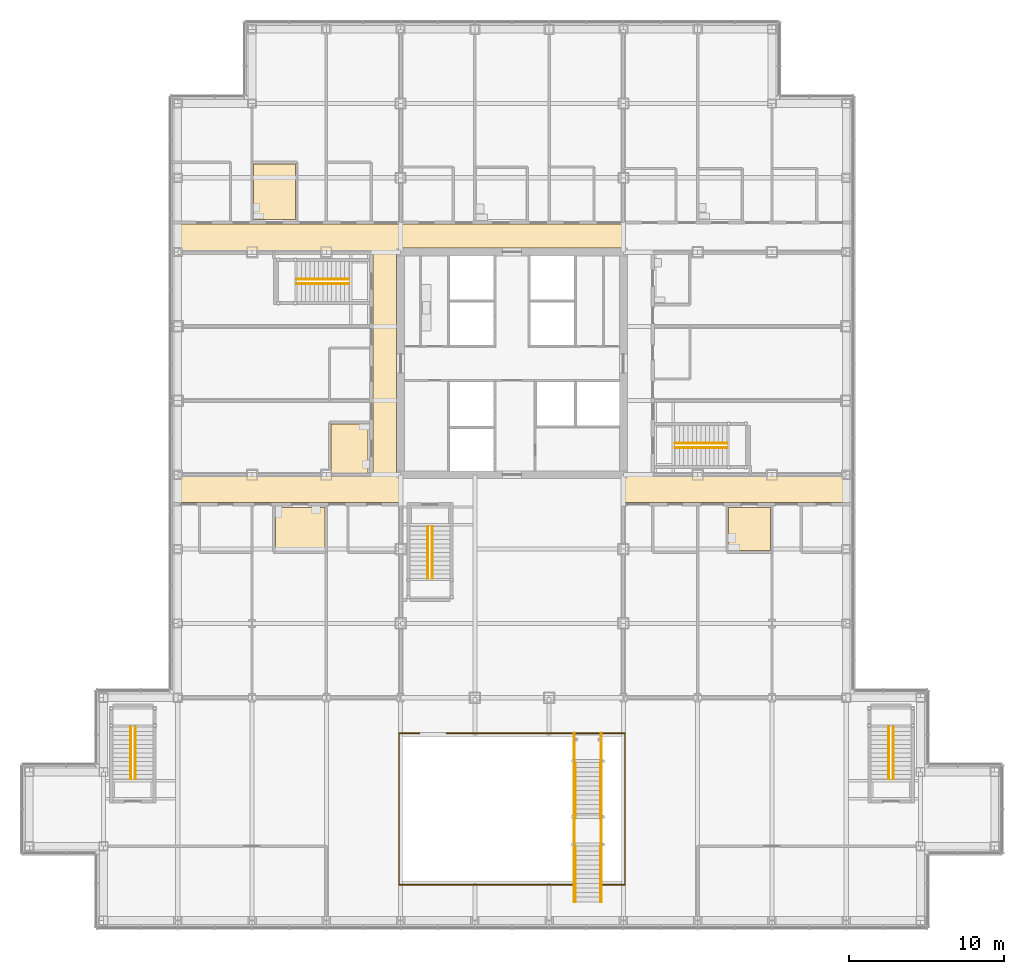
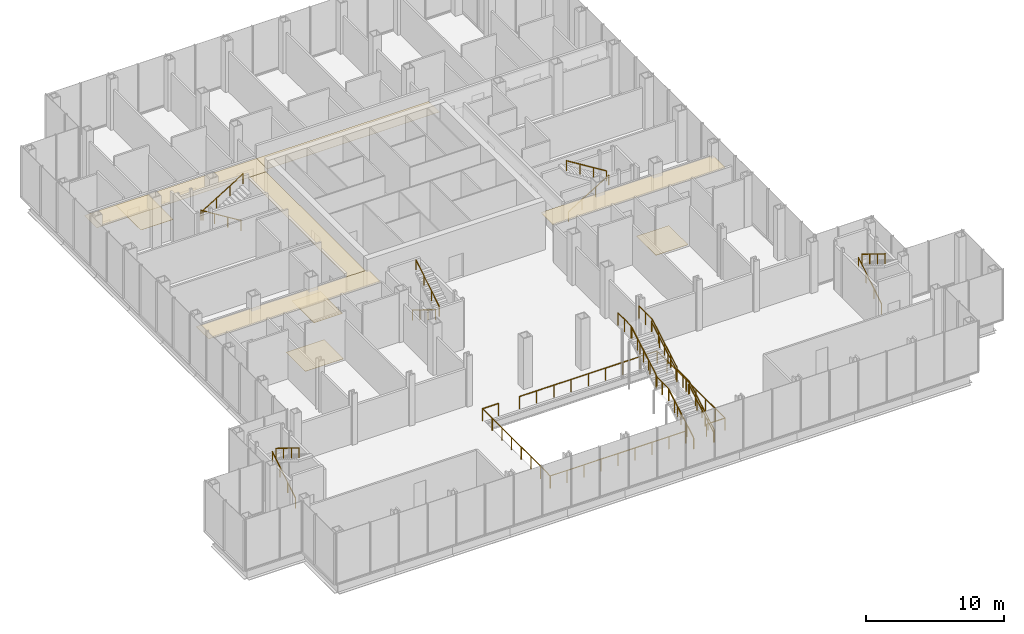
# One storey, part 25 of 28: 24 railings, 9 coverings.
"""IFC4 building model written with IfcOpenShell, lengths in metres."""

from ifc_helpers import new_model, si_unit, direction, frame, origin, origin_2d, place, context, subcontext, project, spatial, polyline, circle, outline, extrude, material, layer, layer_set, type_object, element, save


model = new_model("IFC4")

# Units and contexts
model_context = context("Model", 3, precision=1e-05, world=origin(), true_north=direction((0.0, 1.0)))
body_context = subcontext(model_context, "Body", "Model", "MODEL_VIEW")
ifc_project = project(units=[si_unit("LENGTHUNIT", "METRE"), si_unit("AREAUNIT", "SQUARE_METRE"), si_unit("VOLUMEUNIT", "CUBIC_METRE"), si_unit("PLANEANGLEUNIT", "RADIAN"), si_unit("MASSUNIT", "GRAM", prefix="KILO")], contexts=[model_context])

# Site, building, storey
site_placement = place(None, origin())
site = spatial("IfcSite", under=ifc_project, at=site_placement, CompositionType="ELEMENT")
building_placement = place(site_placement, origin())
building = spatial("IfcBuilding", under=site, at=building_placement, Name="Kvirike Care Tower", CompositionType="ELEMENT")
storey_placement = place(building_placement, frame((0.0, 0.0, 4.5)))
storey = spatial("IfcBuildingStorey", under=building, at=storey_placement, Name="L01", CompositionType="ELEMENT", Elevation=4.5)

# Railings
ifc_material_1 = material(Name="Laminated toughened glass balustrade with bronze-finish top rail", Category="glass")
railing_type_1 = type_object("IfcRailingType", Name="ATRIUM GLASS BALUSTRADE 1100", PredefinedType="BALUSTRADE", material=ifc_material_1)
railing_1_placement = place(storey_placement, frame((25.625, 1.199951171875, 0.173095703125)))
element("IfcRailing", 1, at=railing_1_placement, inside=storey, type_object=railing_type_1, Name="Feature stair FB glass balustrade flight 1 west", PredefinedType="BALUSTRADE", context=body_context, shape_type="SweptSolid", body=[
    extrude(circle(Radius=0.02392578125, at=origin_2d()), frame((0.0, 0.0, 1.076171875), z_axis=(0.0, 0.866193409371, 0.499708892819), x_axis=(-1.0, 0.0, 0.0)), (0.0, 0.0, 1.0), 4.15625),
    extrude(circle(Radius=0.02099609375, at=origin_2d()), origin(), (0.0, 0.0, 1.0), 1.052001953125),
    extrude(circle(Radius=0.02099609375, at=origin_2d()), frame((0.0, 0.89990234375, 0.519287109375)), (0.0, 0.0, 1.0), 1.052001953125),
    extrude(circle(Radius=0.02099609375, at=origin_2d()), frame((0.0, 1.800048828125, 1.03857421875)), (0.0, 0.0, 1.0), 1.052001953125),
    extrude(circle(Radius=0.02099609375, at=origin_2d()), frame((0.0, 2.7001953125, 1.5576171875)), (0.0, 0.0, 1.0), 1.052001953125),
    extrude(circle(Radius=0.02099609375, at=origin_2d()), frame((0.0, 3.60009765625, 2.076904296875)), (0.0, 0.0, 1.0), 1.052001953125),
])
railing_2_placement = place(storey_placement, frame((25.625, 4.800048828125, 2.25)))
element("IfcRailing", 2, at=railing_2_placement, inside=storey, type_object=railing_type_1, Name="Feature stair FB glass balustrade landing west", PredefinedType="BALUSTRADE", context=body_context, shape_type="SweptSolid", body=[
    extrude(circle(Radius=0.02392578125, at=origin_2d()), frame((0.0, 0.0, 1.076171875), z_axis=(0.0, 1.0, 0.0), x_axis=(-1.0, 0.0, 0.0)), (0.0, 0.0, 1.0), 1.800048828125),
    extrude(circle(Radius=0.02099609375, at=origin_2d()), origin(), (0.0, 0.0, 1.0), 1.052001953125),
    extrude(circle(Radius=0.02099609375, at=origin_2d()), frame((0.0, 0.89990234375, 0.0)), (0.0, 0.0, 1.0), 1.052001953125),
    extrude(circle(Radius=0.02099609375, at=origin_2d()), frame((0.0, 1.800048828125, 0.0)), (0.0, 0.0, 1.0), 1.052001953125),
])
railing_3_placement = place(storey_placement, frame((25.625, 6.60009765625, 2.423095703125)))
element("IfcRailing", 3, at=railing_3_placement, inside=storey, type_object=railing_type_1, Name="Feature stair FB glass balustrade flight 2 west", PredefinedType="BALUSTRADE", context=body_context, shape_type="SweptSolid", body=[
    extrude(circle(Radius=0.02392578125, at=origin_2d()), frame((0.0, 0.0, 1.076171875), z_axis=(0.0, 0.866178740119, 0.499734319579), x_axis=(-1.0, 0.0, 0.0)), (0.0, 0.0, 1.0), 4.156005859375),
    extrude(circle(Radius=0.02099609375, at=origin_2d()), origin(), (0.0, 0.0, 1.0), 1.052001953125),
    extrude(circle(Radius=0.02099609375, at=origin_2d()), frame((0.0, 0.89990234375, 0.519287109375)), (0.0, 0.0, 1.0), 1.052001953125),
    extrude(circle(Radius=0.02099609375, at=origin_2d()), frame((0.0, 1.7998046875, 1.03857421875)), (0.0, 0.0, 1.0), 1.052001953125),
    extrude(circle(Radius=0.02099609375, at=origin_2d()), frame((0.0, 2.699951171875, 1.5576171875)), (0.0, 0.0, 1.0), 1.052001953125),
    extrude(circle(Radius=0.02099609375, at=origin_2d()), frame((0.0, 3.599853515625, 2.076904296875)), (0.0, 0.0, 1.0), 1.052001953125),
])
railing_4_placement = place(storey_placement, frame((25.625, 10.199951171875, 4.5)))
element("IfcRailing", 4, at=railing_4_placement, inside=storey, type_object=railing_type_1, Name="Feature stair FB glass balustrade top landing west", PredefinedType="BALUSTRADE", context=body_context, shape_type="SweptSolid", body=[
    extrude(circle(Radius=0.02392578125, at=origin_2d()), frame((0.0, 0.0, 1.076171875), z_axis=(0.0, 1.0, 0.0), x_axis=(-1.0, 0.0, 0.0)), (0.0, 0.0, 1.0), 1.900146484375),
    extrude(circle(Radius=0.02099609375, at=origin_2d()), origin(), (0.0, 0.0, 1.0), 1.052001953125),
    extrude(circle(Radius=0.02099609375, at=origin_2d()), frame((0.0, 0.9501953125, 0.0)), (0.0, 0.0, 1.0), 1.052001953125),
    extrude(circle(Radius=0.02099609375, at=origin_2d()), frame((0.0, 1.900146484375, 0.0)), (0.0, 0.0, 1.0), 1.052001953125),
])
railing_5_placement = place(storey_placement, frame((27.375, 1.199951171875, 0.173095703125)))
element("IfcRailing", 5, at=railing_5_placement, inside=storey, type_object=railing_type_1, Name="Feature stair FB glass balustrade flight 1 east", PredefinedType="BALUSTRADE", context=body_context, shape_type="SweptSolid", body=[
    extrude(circle(Radius=0.02392578125, at=origin_2d()), frame((0.0, 0.0, 1.076171875), z_axis=(0.0, 0.866193409371, 0.499708892819), x_axis=(-1.0, 0.0, 0.0)), (0.0, 0.0, 1.0), 4.15625),
    extrude(circle(Radius=0.02099609375, at=origin_2d()), origin(), (0.0, 0.0, 1.0), 1.052001953125),
    extrude(circle(Radius=0.02099609375, at=origin_2d()), frame((0.0, 0.89990234375, 0.519287109375)), (0.0, 0.0, 1.0), 1.052001953125),
    extrude(circle(Radius=0.02099609375, at=origin_2d()), frame((0.0, 1.800048828125, 1.03857421875)), (0.0, 0.0, 1.0), 1.052001953125),
    extrude(circle(Radius=0.02099609375, at=origin_2d()), frame((0.0, 2.7001953125, 1.5576171875)), (0.0, 0.0, 1.0), 1.052001953125),
    extrude(circle(Radius=0.02099609375, at=origin_2d()), frame((0.0, 3.60009765625, 2.076904296875)), (0.0, 0.0, 1.0), 1.052001953125),
])
railing_6_placement = place(storey_placement, frame((27.375, 4.800048828125, 2.25)))
element("IfcRailing", 6, at=railing_6_placement, inside=storey, type_object=railing_type_1, Name="Feature stair FB glass balustrade landing east", PredefinedType="BALUSTRADE", context=body_context, shape_type="SweptSolid", body=[
    extrude(circle(Radius=0.02392578125, at=origin_2d()), frame((0.0, 0.0, 1.076171875), z_axis=(0.0, 1.0, 0.0), x_axis=(-1.0, 0.0, 0.0)), (0.0, 0.0, 1.0), 1.800048828125),
    extrude(circle(Radius=0.02099609375, at=origin_2d()), origin(), (0.0, 0.0, 1.0), 1.052001953125),
    extrude(circle(Radius=0.02099609375, at=origin_2d()), frame((0.0, 0.89990234375, 0.0)), (0.0, 0.0, 1.0), 1.052001953125),
    extrude(circle(Radius=0.02099609375, at=origin_2d()), frame((0.0, 1.800048828125, 0.0)), (0.0, 0.0, 1.0), 1.052001953125),
])
railing_7_placement = place(storey_placement, frame((27.375, 6.60009765625, 2.423095703125)))
element("IfcRailing", 7, at=railing_7_placement, inside=storey, type_object=railing_type_1, Name="Feature stair FB glass balustrade flight 2 east", PredefinedType="BALUSTRADE", context=body_context, shape_type="SweptSolid", body=[
    extrude(circle(Radius=0.02392578125, at=origin_2d()), frame((0.0, 0.0, 1.076171875), z_axis=(0.0, 0.866178740119, 0.499734319579), x_axis=(-1.0, 0.0, 0.0)), (0.0, 0.0, 1.0), 4.156005859375),
    extrude(circle(Radius=0.02099609375, at=origin_2d()), origin(), (0.0, 0.0, 1.0), 1.052001953125),
    extrude(circle(Radius=0.02099609375, at=origin_2d()), frame((0.0, 0.89990234375, 0.519287109375)), (0.0, 0.0, 1.0), 1.052001953125),
    extrude(circle(Radius=0.02099609375, at=origin_2d()), frame((0.0, 1.7998046875, 1.03857421875)), (0.0, 0.0, 1.0), 1.052001953125),
    extrude(circle(Radius=0.02099609375, at=origin_2d()), frame((0.0, 2.699951171875, 1.5576171875)), (0.0, 0.0, 1.0), 1.052001953125),
    extrude(circle(Radius=0.02099609375, at=origin_2d()), frame((0.0, 3.599853515625, 2.076904296875)), (0.0, 0.0, 1.0), 1.052001953125),
])
railing_8_placement = place(storey_placement, frame((27.375, 10.199951171875, 4.5)))
element("IfcRailing", 8, at=railing_8_placement, inside=storey, type_object=railing_type_1, Name="Feature stair FB glass balustrade top landing east", PredefinedType="BALUSTRADE", context=body_context, shape_type="SweptSolid", body=[
    extrude(circle(Radius=0.02392578125, at=origin_2d()), frame((0.0, 0.0, 1.076171875), z_axis=(0.0, 1.0, 0.0), x_axis=(-1.0, 0.0, 0.0)), (0.0, 0.0, 1.0), 1.900146484375),
    extrude(circle(Radius=0.02099609375, at=origin_2d()), origin(), (0.0, 0.0, 1.0), 1.052001953125),
    extrude(circle(Radius=0.02099609375, at=origin_2d()), frame((0.0, 0.9501953125, 0.0)), (0.0, 0.0, 1.0), 1.052001953125),
    extrude(circle(Radius=0.02099609375, at=origin_2d()), frame((0.0, 1.900146484375, 0.0)), (0.0, 0.0, 1.0), 1.052001953125),
])
railing_9_placement = place(storey_placement, frame((27.375, 2.300048828125, 0.0)))
element("IfcRailing", 9, at=railing_9_placement, inside=storey, type_object=railing_type_1, Name="Atrium glass balustrade L01 run 1", PredefinedType="BALUSTRADE", context=body_context, shape_type="SweptSolid", body=[
    extrude(circle(Radius=0.02392578125, at=origin_2d()), frame((0.0, 0.0, 1.076171875), z_axis=(1.0, 0.0, 0.0), x_axis=(0.0, 1.0, 0.0)), (0.0, 0.0, 1.0), 1.52490234375),
    extrude(circle(Radius=0.02392578125, at=origin_2d()), frame((1.52490234375, 0.0, 1.076171875), z_axis=(0.0, 1.0, 0.0), x_axis=(-1.0, 0.0, 0.0)), (0.0, 0.0, 1.0), 9.800048828125),
    extrude(circle(Radius=0.02392578125, at=origin_2d()), frame((1.52490234375, 9.800048828125, 1.076171875), z_axis=(-1.0, 0.0, 0.0), x_axis=(0.0, -1.0, 0.0)), (0.0, 0.0, 1.0), 11.52490234375),
    extrude(circle(Radius=0.02099609375, at=origin_2d()), origin(), (0.0, 0.0, 1.0), 1.052001953125),
    extrude(circle(Radius=0.02099609375, at=origin_2d()), frame((1.52490234375, 0.0, 0.0)), (0.0, 0.0, 1.0), 1.052001953125),
    extrude(circle(Radius=0.02099609375, at=origin_2d()), frame((1.52490234375, 1.39990234375, 0.0)), (0.0, 0.0, 1.0), 1.052001953125),
    extrude(circle(Radius=0.02099609375, at=origin_2d()), frame((1.52490234375, 2.800048828125, 0.0)), (0.0, 0.0, 1.0), 1.052001953125),
    extrude(circle(Radius=0.02099609375, at=origin_2d()), frame((1.52490234375, 4.199951171875, 0.0)), (0.0, 0.0, 1.0), 1.052001953125),
    extrude(circle(Radius=0.02099609375, at=origin_2d()), frame((1.52490234375, 5.60009765625, 0.0)), (0.0, 0.0, 1.0), 1.052001953125),
    extrude(circle(Radius=0.02099609375, at=origin_2d()), frame((1.52490234375, 7.0, 0.0)), (0.0, 0.0, 1.0), 1.052001953125),
    extrude(circle(Radius=0.02099609375, at=origin_2d()), frame((1.52490234375, 8.400146484375, 0.0)), (0.0, 0.0, 1.0), 1.052001953125),
    extrude(circle(Radius=0.02099609375, at=origin_2d()), frame((1.52490234375, 9.800048828125, 0.0)), (0.0, 0.0, 1.0), 1.052001953125),
    extrude(circle(Radius=0.02099609375, at=origin_2d()), frame((0.084228515625, 9.800048828125, 0.0)), (0.0, 0.0, 1.0), 1.052001953125),
    extrude(circle(Radius=0.02099609375, at=origin_2d()), frame((-1.3564453125, 9.800048828125, 0.0)), (0.0, 0.0, 1.0), 1.052001953125),
    extrude(circle(Radius=0.02099609375, at=origin_2d()), frame((-2.796875, 9.800048828125, 0.0)), (0.0, 0.0, 1.0), 1.052001953125),
    extrude(circle(Radius=0.02099609375, at=origin_2d()), frame((-4.237548828125, 9.800048828125, 0.0)), (0.0, 0.0, 1.0), 1.052001953125),
    extrude(circle(Radius=0.02099609375, at=origin_2d()), frame((-5.67822265625, 9.800048828125, 0.0)), (0.0, 0.0, 1.0), 1.052001953125),
    extrude(circle(Radius=0.02099609375, at=origin_2d()), frame((-7.11865234375, 9.800048828125, 0.0)), (0.0, 0.0, 1.0), 1.052001953125),
    extrude(circle(Radius=0.02099609375, at=origin_2d()), frame((-8.559326171875, 9.800048828125, 0.0)), (0.0, 0.0, 1.0), 1.052001953125),
    extrude(circle(Radius=0.02099609375, at=origin_2d()), frame((-10.0, 9.800048828125, 0.0)), (0.0, 0.0, 1.0), 1.052001953125),
])
railing_10_placement = place(storey_placement, frame((15.625, 12.10009765625, 0.0)))
element("IfcRailing", 10, at=railing_10_placement, inside=storey, type_object=railing_type_1, Name="Atrium glass balustrade L01 run 2", PredefinedType="BALUSTRADE", context=body_context, shape_type="SweptSolid", body=[
    extrude(circle(Radius=0.02392578125, at=origin_2d()), frame((0.0, 0.0, 1.076171875), z_axis=(-1.0, 0.0, 0.0), x_axis=(0.0, -1.0, 0.0)), (0.0, 0.0, 1.0), 1.324951171875),
    extrude(circle(Radius=0.02392578125, at=origin_2d()), frame((-1.324951171875, 0.0, 1.076171875), z_axis=(0.0, -1.0, 0.0), x_axis=(1.0, 0.0, 0.0)), (0.0, 0.0, 1.0), 9.800048828125),
    extrude(circle(Radius=0.02392578125, at=origin_2d()), frame((-1.324951171875, -9.800048828125, 1.076171875), z_axis=(1.0, 0.0, 0.0), x_axis=(0.0, 1.0, 0.0)), (0.0, 0.0, 1.0), 11.324951171875),
    extrude(circle(Radius=0.02099609375, at=origin_2d()), origin(), (0.0, 0.0, 1.0), 1.052001953125),
    extrude(circle(Radius=0.02099609375, at=origin_2d()), frame((-1.324951171875, 0.0, 0.0)), (0.0, 0.0, 1.0), 1.052001953125),
    extrude(circle(Radius=0.02099609375, at=origin_2d()), frame((-1.324951171875, -1.39990234375, 0.0)), (0.0, 0.0, 1.0), 1.052001953125),
    extrude(circle(Radius=0.02099609375, at=origin_2d()), frame((-1.324951171875, -2.800048828125, 0.0)), (0.0, 0.0, 1.0), 1.052001953125),
    extrude(circle(Radius=0.02099609375, at=origin_2d()), frame((-1.324951171875, -4.199951171875, 0.0)), (0.0, 0.0, 1.0), 1.052001953125),
    extrude(circle(Radius=0.02099609375, at=origin_2d()), frame((-1.324951171875, -5.60009765625, 0.0)), (0.0, 0.0, 1.0), 1.052001953125),
    extrude(circle(Radius=0.02099609375, at=origin_2d()), frame((-1.324951171875, -7.0, 0.0)), (0.0, 0.0, 1.0), 1.052001953125),
    extrude(circle(Radius=0.02099609375, at=origin_2d()), frame((-1.324951171875, -8.400146484375, 0.0)), (0.0, 0.0, 1.0), 1.052001953125),
    extrude(circle(Radius=0.02099609375, at=origin_2d()), frame((-1.324951171875, -9.800048828125, 0.0)), (0.0, 0.0, 1.0), 1.052001953125),
    extrude(circle(Radius=0.02099609375, at=origin_2d()), frame((0.090576171875, -9.800048828125, 0.0)), (0.0, 0.0, 1.0), 1.052001953125),
    extrude(circle(Radius=0.02099609375, at=origin_2d()), frame((1.50634765625, -9.800048828125, 0.0)), (0.0, 0.0, 1.0), 1.052001953125),
    extrude(circle(Radius=0.02099609375, at=origin_2d()), frame((2.921875, -9.800048828125, 0.0)), (0.0, 0.0, 1.0), 1.052001953125),
    extrude(circle(Radius=0.02099609375, at=origin_2d()), frame((4.33740234375, -9.800048828125, 0.0)), (0.0, 0.0, 1.0), 1.052001953125),
    extrude(circle(Radius=0.02099609375, at=origin_2d()), frame((5.753173828125, -9.800048828125, 0.0)), (0.0, 0.0, 1.0), 1.052001953125),
    extrude(circle(Radius=0.02099609375, at=origin_2d()), frame((7.168701171875, -9.800048828125, 0.0)), (0.0, 0.0, 1.0), 1.052001953125),
    extrude(circle(Radius=0.02099609375, at=origin_2d()), frame((8.58447265625, -9.800048828125, 0.0)), (0.0, 0.0, 1.0), 1.052001953125),
    extrude(circle(Radius=0.02099609375, at=origin_2d()), frame((10.0, -9.800048828125, 0.0)), (0.0, 0.0, 1.0), 1.052001953125),
])

# Coverings
ifc_material_2 = material(Name="Perforated metal ceiling tile", Category="aluminium")
ifc_layer_1 = layer(ifc_material_2, 0.014892578125)
ifc_layer_set_1 = layer_set([ifc_layer_1], Name="CORRIDOR CEILING 15")
covering_type_1 = type_object("IfcCoveringType", Name="CORRIDOR CEILING 15", PredefinedType="CEILING", material=ifc_layer_set_1)
covering_1_placement = place(storey_placement, frame((0.0, 0.0, 3.199951171875)))
element("IfcCovering", 11, at=covering_1_placement, inside=storey, type_object=covering_type_1, Name="Corridor ceiling L01", PredefinedType="CEILING", context=body_context, shape_type="SweptSolid", body=[
    extrude(outline(polyline([(0.0, 27.0), (0.0, 28.800048828125), (14.39990234375, 28.800048828125), (14.39990234375, 27.0), (0.0, 27.0)])), origin(), (0.0, 0.0, 1.0), 0.01513671875),
])
covering_2_placement = place(storey_placement, frame((0.0, 0.0, 3.199951171875)))
element("IfcCovering", 12, at=covering_2_placement, inside=storey, type_object=covering_type_1, Name="Corridor ceiling L01", PredefinedType="CEILING", context=body_context, shape_type="SweptSolid", body=[
    extrude(outline(polyline([(12.60009765625, 43.199951171875), (14.14990234375, 43.199951171875), (14.14990234375, 28.800048828125), (12.60009765625, 28.800048828125), (12.60009765625, 43.199951171875)])), origin(), (0.0, 0.0, 1.0), 0.01513671875),
])
covering_3_placement = place(storey_placement, frame((0.0, 0.0, 3.199951171875)))
element("IfcCovering", 13, at=covering_3_placement, inside=storey, type_object=covering_type_1, Name="Corridor ceiling L01", PredefinedType="CEILING", context=body_context, shape_type="SweptSolid", body=[
    extrude(outline(polyline([(14.39990234375, 45.0), (14.39990234375, 43.199951171875), (0.0, 43.199951171875), (0.0, 45.0), (14.39990234375, 45.0)])), origin(), (0.0, 0.0, 1.0), 0.01513671875),
])
covering_4_placement = place(storey_placement, frame((0.0, 0.0, 3.199951171875)))
element("IfcCovering", 14, at=covering_4_placement, inside=storey, type_object=covering_type_1, Name="Corridor ceiling L01", PredefinedType="CEILING", context=body_context, shape_type="SweptSolid", body=[
    extrude(outline(polyline([(28.800048828125, 45.0), (28.800048828125, 43.449951171875), (14.39990234375, 43.449951171875), (14.39990234375, 45.0), (28.800048828125, 45.0)])), origin(), (0.0, 0.0, 1.0), 0.01513671875),
])
covering_5_placement = place(storey_placement, frame((0.0, 0.0, 3.199951171875)))
element("IfcCovering", 15, at=covering_5_placement, inside=storey, type_object=covering_type_1, Name="Corridor ceiling L01", PredefinedType="CEILING", context=body_context, shape_type="SweptSolid", body=[
    extrude(outline(polyline([(28.800048828125, 27.0), (28.800048828125, 28.800048828125), (43.199951171875, 28.800048828125), (43.199951171875, 27.0), (28.800048828125, 27.0)])), origin(), (0.0, 0.0, 1.0), 0.01513671875),
])

# Railings
ifc_material_3 = material(Name="Stainless steel handrail", Category="steel")
railing_type_2 = type_object("IfcRailingType", Name="STAIR HANDRAIL 900", PredefinedType="HANDRAIL", material=ifc_material_3)
railing_11_placement = place(storey_placement, frame((11.06005859375, 41.449951171875, 0.173095703125)))
element("IfcRailing", 16, at=railing_11_placement, inside=storey, type_object=railing_type_2, Name="Stair 1 handrail L01 flight 1", PredefinedType="HANDRAIL", context=body_context, shape_type="SweptSolid", body=[
    extrude(circle(Radius=0.02490234375, at=origin_2d()), frame((0.0, 0.0, 0.875), z_axis=(-0.850623216509, 0.0, 0.525775754039), x_axis=(0.0, -1.0, 0.0)), (0.0, 0.0, 1.0), 3.9501953125),
    extrude(circle(Radius=0.02001953125, at=origin_2d()), origin(), (0.0, 0.0, 1.0), 0.849853515625),
    extrude(circle(Radius=0.02001953125, at=origin_2d()), frame((-1.1201171875, 0.0, 0.6923828125)), (0.0, 0.0, 1.0), 0.849853515625),
    extrude(circle(Radius=0.02001953125, at=origin_2d()), frame((-2.239990234375, 0.0, 1.384521484375)), (0.0, 0.0, 1.0), 0.849853515625),
    extrude(circle(Radius=0.02001953125, at=origin_2d()), frame((-3.360107421875, 0.0, 2.076904296875)), (0.0, 0.0, 1.0), 0.849853515625),
])
for number, where, name in (
    (17, (7.699951171875, 41.14990234375, 2.423095703125), "Stair 1 handrail L01 flight 2"),
    (18, (32.139892578125, 30.550048828125, 0.173095703125), "Stair 2 handrail L01 flight 1"),
):
    element("IfcRailing", number, at=place(storey_placement, frame(where)), inside=storey, type_object=railing_type_2, Name=name, PredefinedType="HANDRAIL", context=body_context, shape_type="SweptSolid", body=[
        extrude(circle(Radius=0.02490234375, at=origin_2d()), frame((0.0, 0.0, 0.875), z_axis=(0.850623216509, 0.0, 0.525775754039), x_axis=(0.0, 1.0, 0.0)), (0.0, 0.0, 1.0), 3.9501953125),
        extrude(circle(Radius=0.02001953125, at=origin_2d()), origin(), (0.0, 0.0, 1.0), 0.849853515625),
        extrude(circle(Radius=0.02001953125, at=origin_2d()), frame((1.1201171875, 0.0, 0.6923828125)), (0.0, 0.0, 1.0), 0.849853515625),
        extrude(circle(Radius=0.02001953125, at=origin_2d()), frame((2.239990234375, 0.0, 1.384521484375)), (0.0, 0.0, 1.0), 0.849853515625),
        extrude(circle(Radius=0.02001953125, at=origin_2d()), frame((3.360107421875, 0.0, 2.076904296875)), (0.0, 0.0, 1.0), 0.849853515625),
    ])
railing_12_placement = place(storey_placement, frame((35.5, 30.85009765625, 2.423095703125)))
element("IfcRailing", 19, at=railing_12_placement, inside=storey, type_object=railing_type_2, Name="Stair 2 handrail L01 flight 2", PredefinedType="HANDRAIL", context=body_context, shape_type="SweptSolid", body=[
    extrude(circle(Radius=0.02490234375, at=origin_2d()), frame((0.0, 0.0, 0.875), z_axis=(-0.850623216509, 0.0, 0.525775754039), x_axis=(0.0, -1.0, 0.0)), (0.0, 0.0, 1.0), 3.9501953125),
    extrude(circle(Radius=0.02001953125, at=origin_2d()), origin(), (0.0, 0.0, 1.0), 0.849853515625),
    extrude(circle(Radius=0.02001953125, at=origin_2d()), frame((-1.1201171875, 0.0, 0.6923828125)), (0.0, 0.0, 1.0), 0.849853515625),
    extrude(circle(Radius=0.02001953125, at=origin_2d()), frame((-2.239990234375, 0.0, 1.384521484375)), (0.0, 0.0, 1.0), 0.849853515625),
    extrude(circle(Radius=0.02001953125, at=origin_2d()), frame((-3.360107421875, 0.0, 2.076904296875)), (0.0, 0.0, 1.0), 0.849853515625),
])
railing_13_placement = place(storey_placement, frame((-3.050048828125, 9.139892578125, 0.173095703125)))
element("IfcRailing", 20, at=railing_13_placement, inside=storey, type_object=railing_type_2, Name="Stair 3 handrail L01 flight 1", PredefinedType="HANDRAIL", context=body_context, shape_type="SweptSolid", body=[
    extrude(circle(Radius=0.02490234375, at=origin_2d()), frame((0.0, 0.0, 0.875), z_axis=(0.0, 0.850623216509, 0.525775754039), x_axis=(-1.0, 0.0, 0.0)), (0.0, 0.0, 1.0), 3.9501953125),
    extrude(circle(Radius=0.02001953125, at=origin_2d()), origin(), (0.0, 0.0, 1.0), 0.849853515625),
    extrude(circle(Radius=0.02001953125, at=origin_2d()), frame((0.0, 1.1201171875, 0.6923828125)), (0.0, 0.0, 1.0), 0.849853515625),
    extrude(circle(Radius=0.02001953125, at=origin_2d()), frame((0.0, 2.239990234375, 1.384521484375)), (0.0, 0.0, 1.0), 0.849853515625),
    extrude(circle(Radius=0.02001953125, at=origin_2d()), frame((0.0, 3.360107421875, 2.076904296875)), (0.0, 0.0, 1.0), 0.849853515625),
])
railing_14_placement = place(storey_placement, frame((-2.75, 12.5, 2.423095703125)))
element("IfcRailing", 21, at=railing_14_placement, inside=storey, type_object=railing_type_2, Name="Stair 3 handrail L01 flight 2", PredefinedType="HANDRAIL", context=body_context, shape_type="SweptSolid", body=[
    extrude(circle(Radius=0.02490234375, at=origin_2d()), frame((0.0, 0.0, 0.875), z_axis=(0.0, -0.850623216509, 0.525775754039), x_axis=(1.0, 0.0, 0.0)), (0.0, 0.0, 1.0), 3.9501953125),
    extrude(circle(Radius=0.02001953125, at=origin_2d()), origin(), (0.0, 0.0, 1.0), 0.849853515625),
    extrude(circle(Radius=0.02001953125, at=origin_2d()), frame((0.0, -1.1201171875, 0.6923828125)), (0.0, 0.0, 1.0), 0.849853515625),
    extrude(circle(Radius=0.02001953125, at=origin_2d()), frame((0.0, -2.239990234375, 1.384521484375)), (0.0, 0.0, 1.0), 0.849853515625),
    extrude(circle(Radius=0.02001953125, at=origin_2d()), frame((0.0, -3.360107421875, 2.076904296875)), (0.0, 0.0, 1.0), 0.849853515625),
])
railing_15_placement = place(storey_placement, frame((45.949951171875, 9.139892578125, 0.173095703125)))
element("IfcRailing", 22, at=railing_15_placement, inside=storey, type_object=railing_type_2, Name="Stair 4 handrail L01 flight 1", PredefinedType="HANDRAIL", context=body_context, shape_type="SweptSolid", body=[
    extrude(circle(Radius=0.02490234375, at=origin_2d()), frame((0.0, 0.0, 0.875), z_axis=(0.0, 0.850623216509, 0.525775754039), x_axis=(-1.0, 0.0, 0.0)), (0.0, 0.0, 1.0), 3.9501953125),
    extrude(circle(Radius=0.02001953125, at=origin_2d()), origin(), (0.0, 0.0, 1.0), 0.849853515625),
    extrude(circle(Radius=0.02001953125, at=origin_2d()), frame((0.0, 1.1201171875, 0.6923828125)), (0.0, 0.0, 1.0), 0.849853515625),
    extrude(circle(Radius=0.02001953125, at=origin_2d()), frame((0.0, 2.239990234375, 1.384521484375)), (0.0, 0.0, 1.0), 0.849853515625),
    extrude(circle(Radius=0.02001953125, at=origin_2d()), frame((0.0, 3.360107421875, 2.076904296875)), (0.0, 0.0, 1.0), 0.849853515625),
])
railing_16_placement = place(storey_placement, frame((46.25, 12.5, 2.423095703125)))
element("IfcRailing", 23, at=railing_16_placement, inside=storey, type_object=railing_type_2, Name="Stair 4 handrail L01 flight 2", PredefinedType="HANDRAIL", context=body_context, shape_type="SweptSolid", body=[
    extrude(circle(Radius=0.02490234375, at=origin_2d()), frame((0.0, 0.0, 0.875), z_axis=(0.0, -0.850623216509, 0.525775754039), x_axis=(1.0, 0.0, 0.0)), (0.0, 0.0, 1.0), 3.9501953125),
    extrude(circle(Radius=0.02001953125, at=origin_2d()), origin(), (0.0, 0.0, 1.0), 0.849853515625),
    extrude(circle(Radius=0.02001953125, at=origin_2d()), frame((0.0, -1.1201171875, 0.6923828125)), (0.0, 0.0, 1.0), 0.849853515625),
    extrude(circle(Radius=0.02001953125, at=origin_2d()), frame((0.0, -2.239990234375, 1.384521484375)), (0.0, 0.0, 1.0), 0.849853515625),
    extrude(circle(Radius=0.02001953125, at=origin_2d()), frame((0.0, -3.360107421875, 2.076904296875)), (0.0, 0.0, 1.0), 0.849853515625),
])
railing_17_placement = place(storey_placement, frame((16.14990234375, 25.4599609375, 0.173095703125)))
element("IfcRailing", 24, at=railing_17_placement, inside=storey, type_object=railing_type_2, Name="Stair 5 handrail L01 flight 1", PredefinedType="HANDRAIL", context=body_context, shape_type="SweptSolid", body=[
    extrude(circle(Radius=0.02490234375, at=origin_2d()), frame((0.0, 0.0, 0.875), z_axis=(0.0, -0.850606129759, 0.525803396734), x_axis=(1.0, 0.0, 0.0)), (0.0, 0.0, 1.0), 3.949951171875),
    extrude(circle(Radius=0.02001953125, at=origin_2d()), origin(), (0.0, 0.0, 1.0), 0.849853515625),
    extrude(circle(Radius=0.02001953125, at=origin_2d()), frame((0.0, -1.119873046875, 0.6923828125)), (0.0, 0.0, 1.0), 0.849853515625),
    extrude(circle(Radius=0.02001953125, at=origin_2d()), frame((0.0, -2.239990234375, 1.384521484375)), (0.0, 0.0, 1.0), 0.849853515625),
    extrude(circle(Radius=0.02001953125, at=origin_2d()), frame((0.0, -3.35986328125, 2.076904296875)), (0.0, 0.0, 1.0), 0.849853515625),
])
railing_18_placement = place(storey_placement, frame((16.449951171875, 22.10009765625, 2.423095703125)))
element("IfcRailing", 25, at=railing_18_placement, inside=storey, type_object=railing_type_2, Name="Stair 5 handrail L01 flight 2", PredefinedType="HANDRAIL", context=body_context, shape_type="SweptSolid", body=[
    extrude(circle(Radius=0.02490234375, at=origin_2d()), frame((0.0, 0.0, 0.875), z_axis=(0.0, 0.850606129759, 0.525803396734), x_axis=(-1.0, 0.0, 0.0)), (0.0, 0.0, 1.0), 3.949951171875),
    extrude(circle(Radius=0.02001953125, at=origin_2d()), origin(), (0.0, 0.0, 1.0), 0.849853515625),
    extrude(circle(Radius=0.02001953125, at=origin_2d()), frame((0.0, 1.119873046875, 0.6923828125)), (0.0, 0.0, 1.0), 0.849853515625),
    extrude(circle(Radius=0.02001953125, at=origin_2d()), frame((0.0, 2.239990234375, 1.384521484375)), (0.0, 0.0, 1.0), 0.849853515625),
    extrude(circle(Radius=0.02001953125, at=origin_2d()), frame((0.0, 3.35986328125, 2.076904296875)), (0.0, 0.0, 1.0), 0.849853515625),
])
railing_19_placement = place(storey_placement, frame((25.68505859375, 1.199951171875, 0.173095703125)))
element("IfcRailing", 26, at=railing_19_placement, inside=storey, type_object=railing_type_2, Name="Feature stair FB handrail flight 1 west", PredefinedType="HANDRAIL", context=body_context, shape_type="SweptSolid", body=[
    extrude(circle(Radius=0.02490234375, at=origin_2d()), frame((0.0, 0.0, 0.875), z_axis=(0.0, 0.866193409371, 0.499708892819), x_axis=(-1.0, 0.0, 0.0)), (0.0, 0.0, 1.0), 4.15625),
    extrude(circle(Radius=0.02001953125, at=origin_2d()), origin(), (0.0, 0.0, 1.0), 0.849853515625),
    extrude(circle(Radius=0.02001953125, at=origin_2d()), frame((0.0, 1.199951171875, 0.6923828125)), (0.0, 0.0, 1.0), 0.849853515625),
    extrude(circle(Radius=0.02001953125, at=origin_2d()), frame((0.0, 2.400146484375, 1.384521484375)), (0.0, 0.0, 1.0), 0.849853515625),
    extrude(circle(Radius=0.02001953125, at=origin_2d()), frame((0.0, 3.60009765625, 2.076904296875)), (0.0, 0.0, 1.0), 0.849853515625),
])
railing_20_placement = place(storey_placement, frame((25.68505859375, 6.60009765625, 2.423095703125)))
element("IfcRailing", 27, at=railing_20_placement, inside=storey, type_object=railing_type_2, Name="Feature stair FB handrail flight 2 west", PredefinedType="HANDRAIL", context=body_context, shape_type="SweptSolid", body=[
    extrude(circle(Radius=0.02490234375, at=origin_2d()), frame((0.0, 0.0, 0.875), z_axis=(0.0, 0.866178740119, 0.499734319579), x_axis=(-1.0, 0.0, 0.0)), (0.0, 0.0, 1.0), 4.156005859375),
    extrude(circle(Radius=0.02001953125, at=origin_2d()), origin(), (0.0, 0.0, 1.0), 0.849853515625),
    extrude(circle(Radius=0.02001953125, at=origin_2d()), frame((0.0, 1.199951171875, 0.6923828125)), (0.0, 0.0, 1.0), 0.849853515625),
    extrude(circle(Radius=0.02001953125, at=origin_2d()), frame((0.0, 2.39990234375, 1.384521484375)), (0.0, 0.0, 1.0), 0.849853515625),
    extrude(circle(Radius=0.02001953125, at=origin_2d()), frame((0.0, 3.599853515625, 2.076904296875)), (0.0, 0.0, 1.0), 0.849853515625),
])
railing_21_placement = place(storey_placement, frame((27.31494140625, 1.199951171875, 0.173095703125)))
element("IfcRailing", 28, at=railing_21_placement, inside=storey, type_object=railing_type_2, Name="Feature stair FB handrail flight 1 east", PredefinedType="HANDRAIL", context=body_context, shape_type="SweptSolid", body=[
    extrude(circle(Radius=0.02490234375, at=origin_2d()), frame((0.0, 0.0, 0.875), z_axis=(0.0, 0.866193409371, 0.499708892819), x_axis=(-1.0, 0.0, 0.0)), (0.0, 0.0, 1.0), 4.15625),
    extrude(circle(Radius=0.02001953125, at=origin_2d()), origin(), (0.0, 0.0, 1.0), 0.849853515625),
    extrude(circle(Radius=0.02001953125, at=origin_2d()), frame((0.0, 1.199951171875, 0.6923828125)), (0.0, 0.0, 1.0), 0.849853515625),
    extrude(circle(Radius=0.02001953125, at=origin_2d()), frame((0.0, 2.400146484375, 1.384521484375)), (0.0, 0.0, 1.0), 0.849853515625),
    extrude(circle(Radius=0.02001953125, at=origin_2d()), frame((0.0, 3.60009765625, 2.076904296875)), (0.0, 0.0, 1.0), 0.849853515625),
])
railing_22_placement = place(storey_placement, frame((27.31494140625, 6.60009765625, 2.423095703125)))
element("IfcRailing", 29, at=railing_22_placement, inside=storey, type_object=railing_type_2, Name="Feature stair FB handrail flight 2 east", PredefinedType="HANDRAIL", context=body_context, shape_type="SweptSolid", body=[
    extrude(circle(Radius=0.02490234375, at=origin_2d()), frame((0.0, 0.0, 0.875), z_axis=(0.0, 0.866178740119, 0.499734319579), x_axis=(-1.0, 0.0, 0.0)), (0.0, 0.0, 1.0), 4.156005859375),
    extrude(circle(Radius=0.02001953125, at=origin_2d()), origin(), (0.0, 0.0, 1.0), 0.849853515625),
    extrude(circle(Radius=0.02001953125, at=origin_2d()), frame((0.0, 1.199951171875, 0.6923828125)), (0.0, 0.0, 1.0), 0.849853515625),
    extrude(circle(Radius=0.02001953125, at=origin_2d()), frame((0.0, 2.39990234375, 1.384521484375)), (0.0, 0.0, 1.0), 0.849853515625),
    extrude(circle(Radius=0.02001953125, at=origin_2d()), frame((0.0, 3.599853515625, 2.076904296875)), (0.0, 0.0, 1.0), 0.849853515625),
])

# Coverings
ifc_material_4 = material(Name="Slip-resistant vinyl safety flooring on screed")
ifc_layer_2 = layer(ifc_material_4, 0.02001953125)
ifc_layer_set_2 = layer_set([ifc_layer_2], Name="WET ROOM FLOOR 20")
covering_type_2 = type_object("IfcCoveringType", Name="WET ROOM FLOOR 20", PredefinedType="FLOORING", material=ifc_layer_set_2)
covering_6_placement = place(storey_placement, origin())
element("IfcCovering", 30, at=covering_6_placement, inside=storey, type_object=covering_type_2, Name="Accessible WC floor L01-006", PredefinedType="FLOORING", context=body_context, shape_type="SweptSolid", body=[
    extrude(outline(polyline([(6.300048828125, 26.699951171875), (9.5, 26.699951171875), (9.5, 23.89990234375), (6.300048828125, 23.89990234375), (6.300048828125, 26.699951171875)])), origin(), (0.0, 0.0, 1.0), 0.02001953125),
])
covering_7_placement = place(storey_placement, origin())
element("IfcCovering", 31, at=covering_7_placement, inside=storey, type_object=covering_type_2, Name="Staff WC floor L01-014", PredefinedType="FLOORING", context=body_context, shape_type="SweptSolid", body=[
    extrude(outline(polyline([(12.300048828125, 32.10009765625), (12.300048828125, 28.89990234375), (9.89990234375, 28.89990234375), (9.89990234375, 32.10009765625), (12.300048828125, 32.10009765625)])), origin(), (0.0, 0.0, 1.0), 0.02001953125),
])
covering_8_placement = place(storey_placement, origin())
element("IfcCovering", 32, at=covering_8_placement, inside=storey, type_object=covering_type_2, Name="Staff WC floor L01-020", PredefinedType="FLOORING", context=body_context, shape_type="SweptSolid", body=[
    extrude(outline(polyline([(7.60009765625, 45.300048828125), (4.89990234375, 45.300048828125), (4.89990234375, 48.89990234375), (7.60009765625, 48.89990234375), (7.60009765625, 45.300048828125)])), origin(), (0.0, 0.0, 1.0), 0.02001953125),
])
covering_9_placement = place(storey_placement, origin())
element("IfcCovering", 33, at=covering_9_placement, inside=storey, type_object=covering_type_2, Name="Accessible WC floor L01-036", PredefinedType="FLOORING", context=body_context, shape_type="SweptSolid", body=[
    extrude(outline(polyline([(35.60009765625, 26.699951171875), (38.300048828125, 26.699951171875), (38.300048828125, 23.89990234375), (35.60009765625, 23.89990234375), (35.60009765625, 26.699951171875)])), origin(), (0.0, 0.0, 1.0), 0.02001953125),
])

save(model, "model.ifc")
